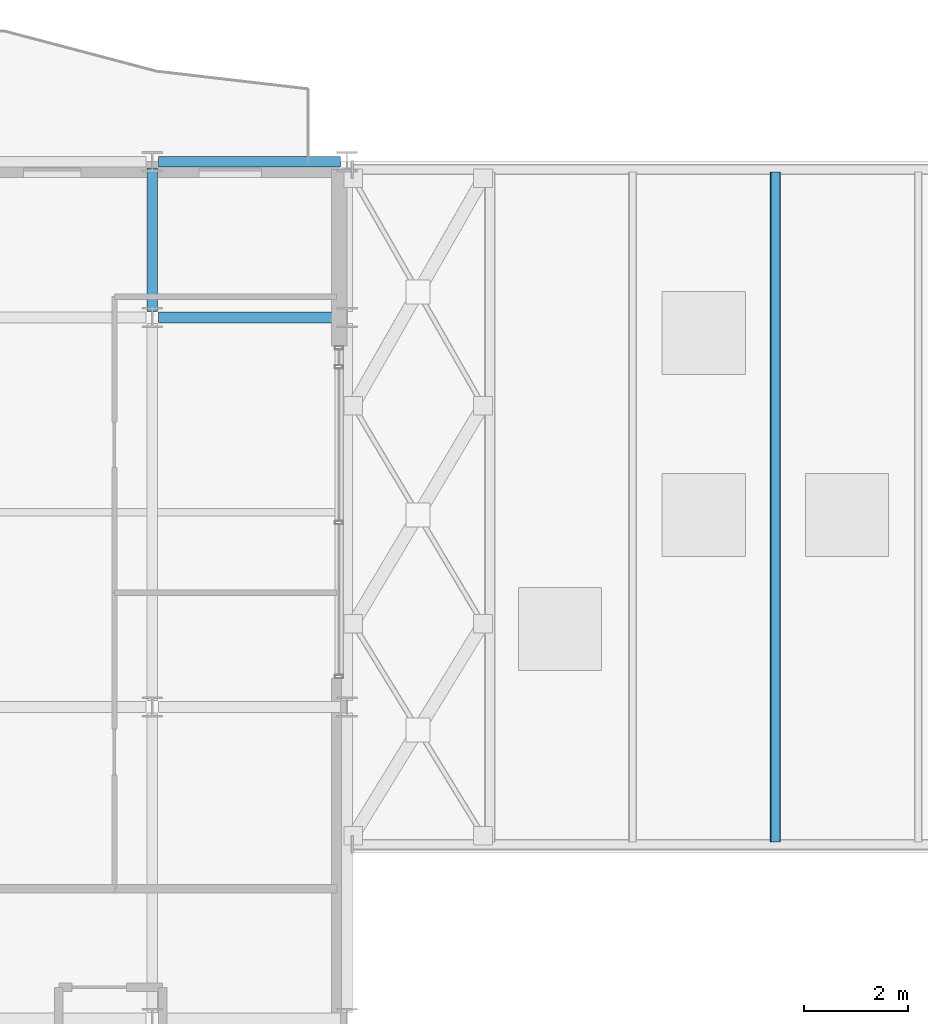
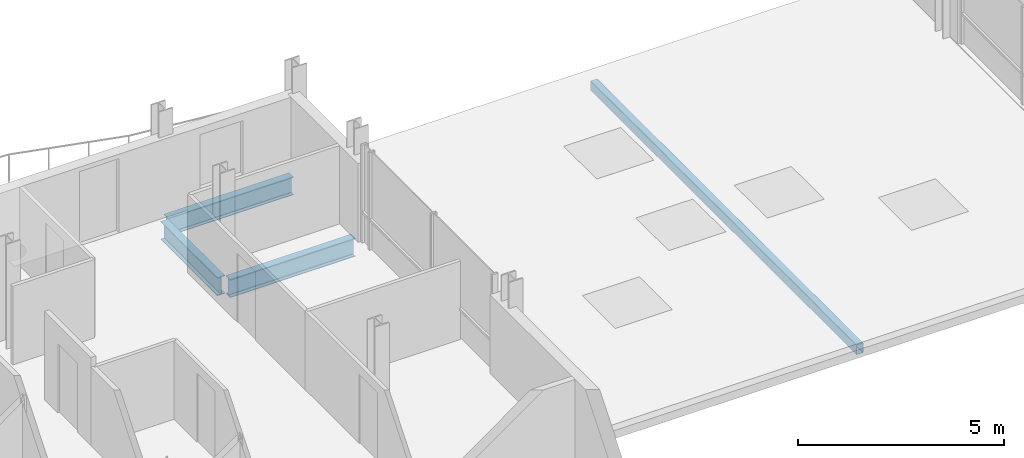
# One storey, part 10 of 33: 3 beams, 1 member.
"""IFC4 building model written with IfcOpenShell, lengths in metres."""

from ifc_helpers import new_model, si_unit, direction, frame, origin, origin_2d, place, context, subcontext, project, spatial, hollow_rectangle, i_section, extrude, material, material_profile, profile_set, type_object, element, save


model = new_model("IFC4")

# Units and contexts
model_context = context("Model", 3, precision=1e-05, world=origin(), true_north=direction((0.0, 1.0)))
body_context = subcontext(model_context, "Body", "Model", "MODEL_VIEW")
ifc_project = project(units=[si_unit("LENGTHUNIT", "METRE"), si_unit("AREAUNIT", "SQUARE_METRE"), si_unit("VOLUMEUNIT", "CUBIC_METRE"), si_unit("PLANEANGLEUNIT", "RADIAN"), si_unit("MASSUNIT", "GRAM", prefix="KILO")], contexts=[model_context])

# Site, building, storey
site_placement = place(None, origin())
site = spatial("IfcSite", under=ifc_project, at=site_placement, CompositionType="ELEMENT")
building_placement = place(site_placement, origin())
building = spatial("IfcBuilding", under=site, at=building_placement, Name="Brevholm Reach", CompositionType="ELEMENT")
storey_placement = place(building_placement, frame((0.0, 0.0, 189.39990234375)))
storey = spatial("IfcBuildingStorey", under=building, at=storey_placement, Name="L57", CompositionType="ELEMENT", Elevation=189.39990234375)

# Beams
ifc_material_1 = material(Name="Structural Steel S355J2", Category="steel")
ifc_material_profile_1 = material_profile(ifc_material_1, i_section(OverallWidth=0.209228515625, OverallDepth=0.533203125, WebThickness=0.010009765625, FlangeThickness=0.015625, FilletRadius=0.0126953125, at=origin_2d()), Name="UKB 533x210x92")
ifc_profile_set_1 = profile_set([ifc_material_profile_1], Name="Structural Steel S355J2")
beam_type_1 = type_object("IfcBeamType", Name="BM-SP533", PredefinedType="SPANDREL", material=ifc_profile_set_1)
beam_1_placement = place(storey_placement, frame((18.1201171875, 26.5, -0.4765625), z_axis=(1.0, 0.0, 0.0), x_axis=(0.0, 1.0, 0.0)))
element("IfcBeam", 1, at=beam_1_placement, inside=storey, type_object=beam_type_1, Name="L57 SP-02 Framing Beam", PredefinedType="SPANDREL", context=body_context, shape_type="SweptSolid", body=[
    extrude(i_section(OverallWidth=0.209228515625, OverallDepth=0.533203125, WebThickness=0.010009765625, FlangeThickness=0.015625, FilletRadius=0.0126953125, at=origin_2d()), origin(), (0.0, 0.0, 1.0), 3.509765625),
])
ifc_material_2 = material(Name="Structural Steel S355J2", Category="steel")
ifc_material_profile_2 = material_profile(ifc_material_2, i_section(OverallWidth=0.210693359375, OverallDepth=0.53955078125, WebThickness=0.01171875, FlangeThickness=0.018798828125, FilletRadius=0.0126953125, at=origin_2d()), Name="UKB 533x210x109")
ifc_profile_set_2 = profile_set([ifc_material_profile_2], Name="Structural Steel S355J2")
beam_type_2 = type_object("IfcBeamType", Name="BM-SP539", PredefinedType="SPANDREL", material=ifc_profile_set_2)
beam_2_placement = place(storey_placement, frame((18.1201171875, 23.5, -0.479736328125), z_axis=(1.0, 0.0, 0.0), x_axis=(0.0, 1.0, 0.0)))
element("IfcBeam", 2, at=beam_2_placement, inside=storey, type_object=beam_type_2, Name="L57 SP-01B Framing Beam", PredefinedType="SPANDREL", context=body_context, shape_type="SweptSolid", body=[
    extrude(i_section(OverallWidth=0.210693359375, OverallDepth=0.53955078125, WebThickness=0.01171875, FlangeThickness=0.018798828125, FilletRadius=0.0126953125, at=origin_2d()), origin(), (0.0, 0.0, 1.0), 3.509765625),
])
beam_3_placement = place(storey_placement, frame((18.0, 23.6201171875, -0.479736328125), z_axis=(0.0, 1.0, 0.0), x_axis=(-1.0, 0.0, 0.0)))
element("IfcBeam", 3, at=beam_3_placement, inside=storey, type_object=beam_type_2, Name="L57 SP-01B Framing Beam", PredefinedType="SPANDREL", context=body_context, shape_type="SweptSolid", body=[
    extrude(i_section(OverallWidth=0.210693359375, OverallDepth=0.53955078125, WebThickness=0.01171875, FlangeThickness=0.018798828125, FilletRadius=0.0126953125, at=origin_2d()), origin(), (0.0, 0.0, 1.0), 2.759765625),
])

# Member
ifc_material_3 = material(Name="Structural Steel S355J2H", Category="steel")
ifc_material_profile_3 = material_profile(ifc_material_3, hollow_rectangle(XDim=0.199951171875, YDim=0.300048828125, WallThickness=0.012451171875, InnerFilletRadius=0.011962890625, OuterFilletRadius=0.02392578125, at=origin_2d()), Name="RHS 300x200x12.5")
ifc_profile_set_3 = profile_set([ifc_material_profile_3], Name="Structural Steel S355J2H")
member_type = type_object("IfcMemberType", Name="MEM-CH-RHS300", PredefinedType="CHORD", material=ifc_profile_set_3)
member_placement = place(storey_placement, frame((30.0, 13.39990234375, -0.35498046875), z_axis=(0.0, 1.0, 0.0), x_axis=(-1.0, 0.0, 0.0)))
element("IfcMember", 4, at=member_placement, inside=storey, type_object=member_type, Name="L57 Atrium Skylight Purlin Chord 3", PredefinedType="CHORD", context=body_context, shape_type="SweptSolid", body=[
    extrude(hollow_rectangle(XDim=0.199951171875, YDim=0.300048828125, WallThickness=0.012451171875, InnerFilletRadius=0.011962890625, OuterFilletRadius=0.02392578125, at=origin_2d()), origin(), (0.0, 0.0, 1.0), 12.900146484375),
])

save(model, "model.ifc")
